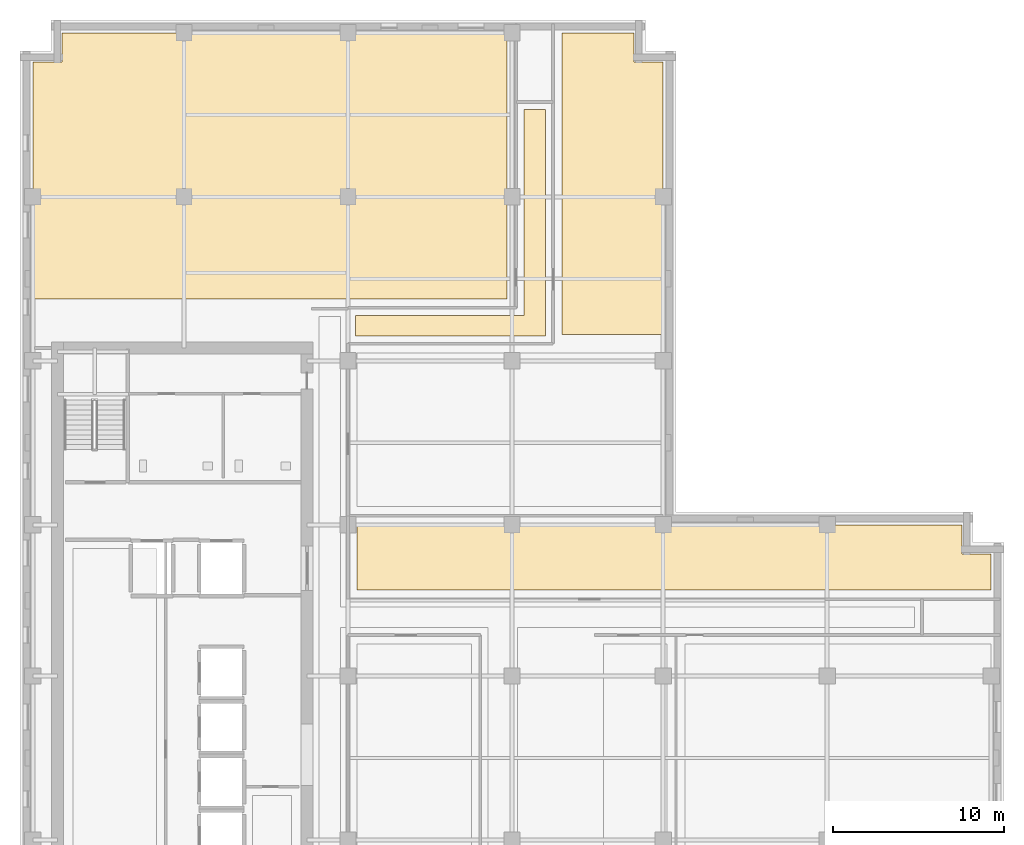
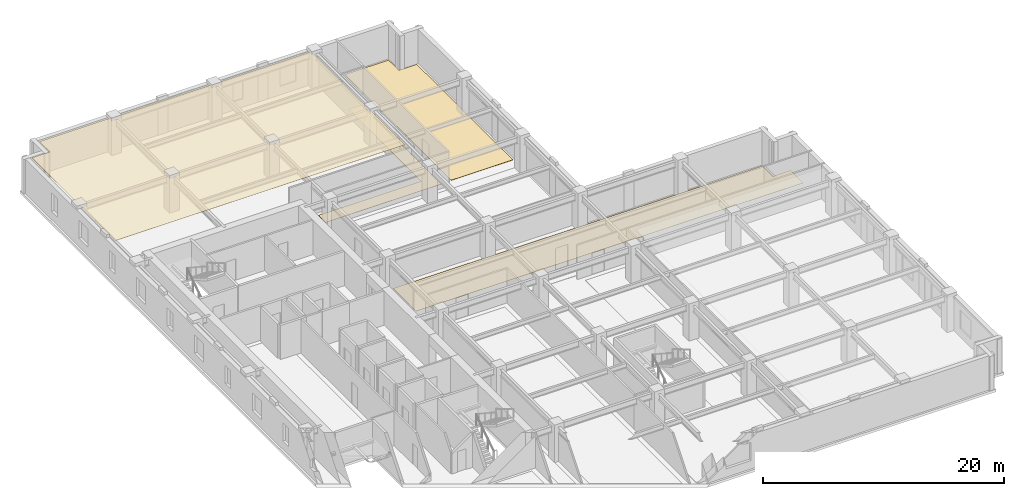
# One storey, part 12 of 13: 4 coverings.
"""IFC4 building model written with IfcOpenShell, lengths in metres."""

from ifc_helpers import new_model, si_unit, direction, frame, origin, place, context, subcontext, project, spatial, polyline, outline, extrude, material, layer, layer_set, type_object, element, save


model = new_model("IFC4")

# Units and contexts
model_context = context("Model", 3, precision=1e-05, world=origin(), true_north=direction((0.0, 1.0)))
body_context = subcontext(model_context, "Body", "Model", "MODEL_VIEW")
ifc_project = project(units=[si_unit("LENGTHUNIT", "METRE"), si_unit("AREAUNIT", "SQUARE_METRE"), si_unit("VOLUMEUNIT", "CUBIC_METRE"), si_unit("PLANEANGLEUNIT", "RADIAN"), si_unit("MASSUNIT", "GRAM", prefix="KILO")], contexts=[model_context])

# Site, building, storey
site_placement = place(None, origin())
site = spatial("IfcSite", under=ifc_project, at=site_placement, CompositionType="ELEMENT")
building_placement = place(site_placement, origin())
building = spatial("IfcBuilding", under=site, at=building_placement, Name="Norrvale University Quadrangle", CompositionType="ELEMENT")
storey_placement = place(building_placement, frame((0.0, 0.0, 190.199951171875)))
storey = spatial("IfcBuildingStorey", under=building, at=storey_placement, Name="L48", CompositionType="ELEMENT", Elevation=190.199951171875)

# Coverings
ifc_material_1 = material(Name="Perforated Acoustic Mineral Ceiling")
ifc_layer_1 = layer(ifc_material_1, 0.02490234375, Name="Perforated Acoustic Mineral Ceiling")
ifc_layer_set_1 = layer_set([ifc_layer_1], Name="Perforated Acoustic Mineral Ceiling")
covering_type_1 = type_object("IfcCoveringType", Name="Covering Acoustic Ceiling 25", PredefinedType="CEILING", material=ifc_layer_set_1)
covering_1_placement = place(storey_placement, frame((0.0, 0.0, 3.455078125)))
element("IfcCovering", 1, at=covering_1_placement, inside=storey, type_object=covering_type_1, Name="Acoustic Ceiling RM-L48-NW01", PredefinedType="CEILING", context=body_context, shape_type="SweptSolid", body=[
    extrude(outline(polyline([(28.52001953125, 66.449951171875), (28.52001953125, 50.8798828125), (0.75, 50.8798828125), (0.75, 64.72998046875), (2.469970703125, 64.72998046875), (2.469970703125, 66.449951171875), (28.52001953125, 66.449951171875)])), origin(), (0.0, 0.0, 1.0), 0.02490234375),
])
ifc_material_2 = material(Name="Polished Terrazzo Flooring")
ifc_layer_2 = layer(ifc_material_2, 0.02490234375, Name="Polished Terrazzo Flooring")
ifc_layer_set_2 = layer_set([ifc_layer_2], Name="Polished Terrazzo Flooring")
covering_type_2 = type_object("IfcCoveringType", Name="Covering Terrazzo Floor 30", PredefinedType="FLOORING", material=ifc_layer_set_2)
covering_2_placement = place(storey_placement, origin())
element("IfcCovering", 2, at=covering_2_placement, inside=storey, type_object=covering_type_2, Name="Terrazzo Flooring RM-L48-ME01", PredefinedType="FLOORING", context=body_context, shape_type="SweptSolid", body=[
    extrude(outline(polyline([(56.85009765625, 33.830078125), (19.72998046875, 33.830078125), (19.72998046875, 37.64990234375), (55.1298828125, 37.64990234375), (55.1298828125, 35.929931640625), (56.85009765625, 35.929931640625), (56.85009765625, 33.830078125)])), origin(), (0.0, 0.0, 1.0), 0.025146484375),
])
covering_3_placement = place(storey_placement, origin())
element("IfcCovering", 3, at=covering_3_placement, inside=storey, type_object=covering_type_2, Name="Terrazzo Flooring RM-L48-NCJOG", PredefinedType="FLOORING", context=body_context, shape_type="SweptSolid", body=[
    extrude(outline(polyline([(19.64990234375, 48.699951171875), (19.64990234375, 49.89990234375), (29.5, 49.89990234375), (29.5, 61.949951171875), (30.75, 61.949951171875), (30.75, 48.699951171875), (19.64990234375, 48.699951171875)])), origin(), (0.0, 0.0, 1.0), 0.025146484375),
])
covering_4_placement = place(storey_placement, origin())
element("IfcCovering", 4, at=covering_4_placement, inside=storey, type_object=covering_type_2, Name="Terrazzo Flooring RM-L48-NE01", PredefinedType="FLOORING", context=body_context, shape_type="SweptSolid", body=[
    extrude(outline(polyline([(37.64990234375, 48.780029296875), (31.72998046875, 48.780029296875), (31.72998046875, 66.449951171875), (35.929931640625, 66.449951171875), (35.929931640625, 64.72998046875), (37.64990234375, 64.72998046875), (37.64990234375, 48.780029296875)])), origin(), (0.0, 0.0, 1.0), 0.025146484375),
])

save(model, "model.ifc")
